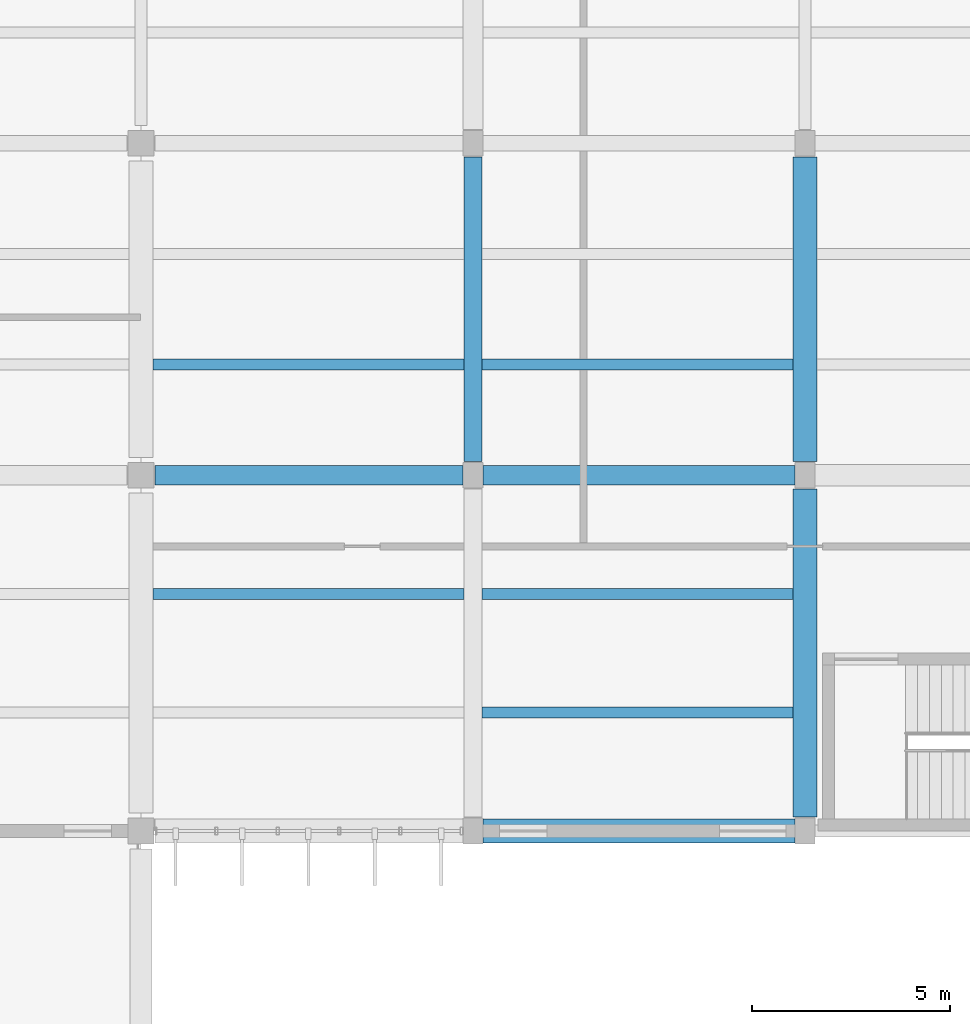
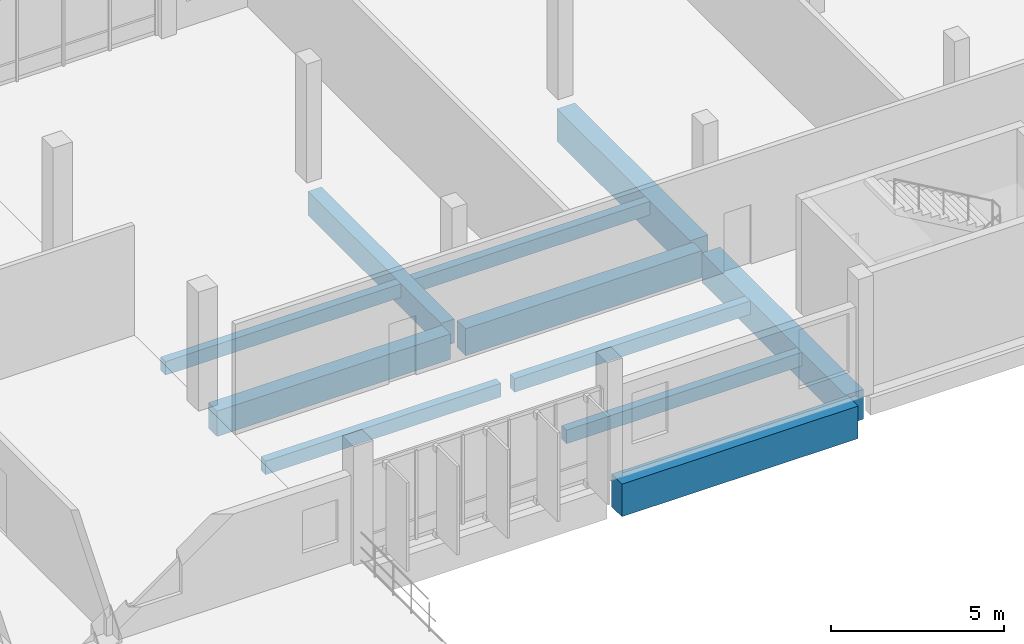
# One storey, part 25 of 101: 11 beams.
"""IFC4 building model written with IfcOpenShell, lengths in metres."""

from ifc_helpers import new_model, si_unit, direction, frame, origin, origin_2d, place, context, subcontext, project, spatial, rectangle, extrude, material, material_profile, profile_set, type_object, element, save


model = new_model("IFC4")

# Units and contexts
model_context = context("Model", 3, precision=1e-05, world=origin(), true_north=direction((0.0, 1.0)))
body_context = subcontext(model_context, "Body", "Model", "MODEL_VIEW")
ifc_project = project(units=[si_unit("LENGTHUNIT", "METRE"), si_unit("AREAUNIT", "SQUARE_METRE"), si_unit("VOLUMEUNIT", "CUBIC_METRE"), si_unit("PLANEANGLEUNIT", "RADIAN"), si_unit("MASSUNIT", "GRAM", prefix="KILO")], contexts=[model_context])

# Site, building, storey
site_placement = place(None, origin())
site = spatial("IfcSite", under=ifc_project, at=site_placement, CompositionType="ELEMENT")
building_placement = place(site_placement, origin())
building = spatial("IfcBuilding", under=site, at=building_placement, Name="Vireocrest Preparatory School", CompositionType="ELEMENT")
storey_placement = place(building_placement, frame((0.0, 0.0, 4.800048828125)))
storey = spatial("IfcBuildingStorey", under=building, at=storey_placement, Name="L01", CompositionType="ELEMENT", Elevation=4.800048828125)

# Beams
ifc_material = material(Name="Concrete 40 MPa", Category="concrete")
ifc_material_profile_1 = material_profile(ifc_material, rectangle(XDim=0.5, YDim=0.949951171875, at=origin_2d()), Name="RC 500x950")
ifc_profile_set_1 = profile_set([ifc_material_profile_1], Name="Concrete 40 MPa")
beam_type_1 = type_object("IfcBeamType", Name="RC Basement Ceiling Girder 500x950", PredefinedType="BEAM", material=ifc_profile_set_1)
beam_1_placement = place(storey_placement, frame((117.85009765625, 27.0, -0.755126953125), z_axis=(1.0, 0.0, 0.0), x_axis=(0.0, 1.0, 0.0)))
element("IfcBeam", 1, at=beam_1_placement, inside=storey, type_object=beam_type_1, Name="Primary Girder B16 L01-0284", PredefinedType="BEAM", context=body_context, shape_type="SweptSolid", body=[
    extrude(rectangle(XDim=0.5, YDim=0.949951171875, at=origin_2d()), origin(), (0.0, 0.0, 1.0), 7.89990234375),
])
ifc_material_profile_2 = material_profile(ifc_material, rectangle(XDim=0.449951171875, YDim=0.85009765625, at=origin_2d()), Name="RC 450x850")
ifc_profile_set_2 = profile_set([ifc_material_profile_2], Name="Concrete 40 MPa")
beam_type_2 = type_object("IfcBeamType", Name="RC Heavy Floor Girder 450x850", PredefinedType="BEAM", material=ifc_profile_set_2)
beam_2_placement = place(storey_placement, frame((117.60009765625, 27.35009765625, -0.705078125), z_axis=(0.0, 1.0, 0.0), x_axis=(-1.0, 0.0, 0.0)))
element("IfcBeam", 2, at=beam_2_placement, inside=storey, type_object=beam_type_2, Name="Primary Girder B13 L01-0474", PredefinedType="BEAM", context=body_context, shape_type="SweptSolid", body=[
    extrude(rectangle(XDim=0.449951171875, YDim=0.85009765625, at=origin_2d()), origin(), (0.0, 0.0, 1.0), 7.699951171875),
])
ifc_material_profile_3 = material_profile(ifc_material, rectangle(XDim=0.60009765625, YDim=1.14990234375, at=origin_2d()), Name="RC 600x1150")
ifc_profile_set_3 = profile_set([ifc_material_profile_3], Name="Concrete 40 MPa")
beam_type_3 = type_object("IfcBeamType", Name="RC Heavy Transfer Girder 600x1150", PredefinedType="BEAM", material=ifc_profile_set_3)
beam_3_placement = place(storey_placement, frame((117.85009765625, 18.0, -0.85498046875), z_axis=(1.0, 0.0, 0.0), x_axis=(0.0, 1.0, 0.0)))
element("IfcBeam", 3, at=beam_3_placement, inside=storey, type_object=beam_type_3, Name="Primary Girder B20 L01-0270", PredefinedType="BEAM", context=body_context, shape_type="SweptSolid", body=[
    extrude(rectangle(XDim=0.60009765625, YDim=1.14990234375, at=origin_2d()), origin(), (0.0, 0.0, 1.0), 7.89990234375),
])
beam_4_placement = place(storey_placement, frame((126.0, 27.35009765625, -0.85498046875), z_axis=(0.0, 1.0, 0.0), x_axis=(-1.0, 0.0, 0.0)))
element("IfcBeam", 4, at=beam_4_placement, inside=storey, type_object=beam_type_3, Name="Primary Girder B20 L01-0481", PredefinedType="BEAM", context=body_context, shape_type="SweptSolid", body=[
    extrude(rectangle(XDim=0.60009765625, YDim=1.14990234375, at=origin_2d()), origin(), (0.0, 0.0, 1.0), 7.699951171875),
])
ifc_material_profile_4 = material_profile(ifc_material, rectangle(XDim=0.5, YDim=0.89990234375, at=origin_2d()), Name="RC 500x900")
ifc_profile_set_4 = profile_set([ifc_material_profile_4], Name="Concrete 40 MPa")
beam_type_4 = type_object("IfcBeamType", Name="RC Podium Girder 500x900", PredefinedType="BEAM", material=ifc_profile_set_4)
beam_5_placement = place(storey_placement, frame((109.550048828125, 27.0, -0.72998046875), z_axis=(1.0, 0.0, 0.0), x_axis=(0.0, 1.0, 0.0)))
element("IfcBeam", 5, at=beam_5_placement, inside=storey, type_object=beam_type_4, Name="Primary Girder B15 L01-0283", PredefinedType="BEAM", context=body_context, shape_type="SweptSolid", body=[
    extrude(rectangle(XDim=0.5, YDim=0.89990234375, at=origin_2d()), origin(), (0.0, 0.0, 1.0), 7.800048828125),
])
ifc_material_profile_5 = material_profile(ifc_material, rectangle(XDim=0.280029296875, YDim=0.47998046875, at=origin_2d()), Name="RC 280x480")
ifc_profile_set_5 = profile_set([ifc_material_profile_5], Name="Concrete 40 MPa")
beam_type_5 = type_object("IfcBeamType", Name="RC Secondary Lab Joist 280x480", PredefinedType="JOIST", material=ifc_profile_set_5)
for number, where, z_axis, x_axis, name in (
    (6, (109.5, 24.0, -0.52001953125), (1.0, 0.0, 0.0), (0.0, 1.0, 0.0), "Secondary Joist J02 L01-0628"),
    (7, (109.5, 29.800048828125, -0.52001953125), (1.0, 0.0, 0.0), (0.0, 1.0, 0.0), "Secondary Joist J02 L01-0629"),
    (8, (117.824951171875, 21.0, -0.52001953125), (1.0, 0.0, 0.0), (0.0, 1.0, 0.0), "Secondary Joist J02 L01-0641"),
    (9, (117.824951171875, 24.0, -0.52001953125), (1.0, 0.0, 0.0), (0.0, 1.0, 0.0), "Secondary Joist J02 L01-0642"),
    (10, (117.824951171875, 29.800048828125, -0.52001953125), (1.0, 0.0, 0.0), (0.0, 1.0, 0.0), "Secondary Joist J02 L01-0643"),
):
    element("IfcBeam", number, at=place(storey_placement, frame(where, z_axis=z_axis, x_axis=x_axis)), inside=storey, type_object=beam_type_5, Name=name, PredefinedType="JOIST", context=body_context, shape_type="SweptSolid", body=[
        extrude(rectangle(XDim=0.280029296875, YDim=0.47998046875, at=origin_2d()), origin(), (0.0, 0.0, 1.0), 7.875),
    ])
ifc_material_profile_6 = material_profile(ifc_material, rectangle(XDim=0.60009765625, YDim=1.050048828125, at=origin_2d()), Name="RC 600x1050")
ifc_profile_set_6 = profile_set([ifc_material_profile_6], Name="Concrete 40 MPa")
beam_type_6 = type_object("IfcBeamType", Name="RC Transfer Girder 600x1050", PredefinedType="BEAM", material=ifc_profile_set_6)
beam_6_placement = place(storey_placement, frame((126.0, 18.35009765625, -0.804931640625), z_axis=(0.0, 1.0, 0.0), x_axis=(-1.0, 0.0, 0.0)))
element("IfcBeam", 11, at=beam_6_placement, inside=storey, type_object=beam_type_6, Name="Primary Girder B19 L01-0480", PredefinedType="BEAM", context=body_context, shape_type="SweptSolid", body=[
    extrude(rectangle(XDim=0.60009765625, YDim=1.050048828125, at=origin_2d()), origin(), (0.0, 0.0, 1.0), 8.2998046875),
])

save(model, "model.ifc")
